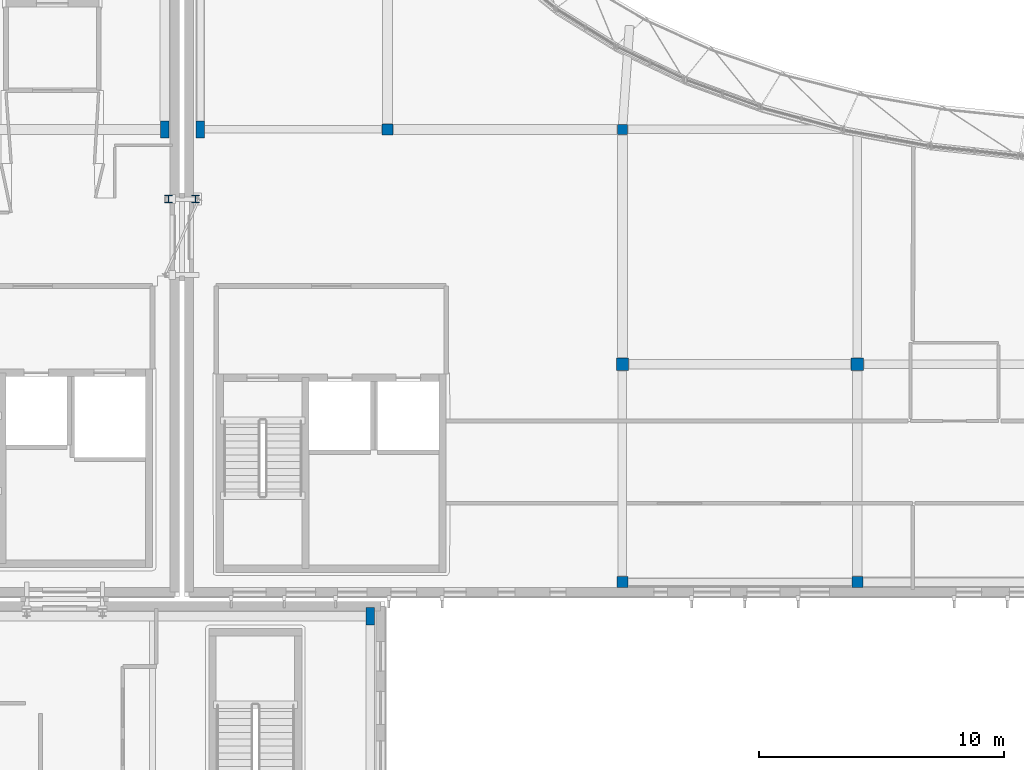
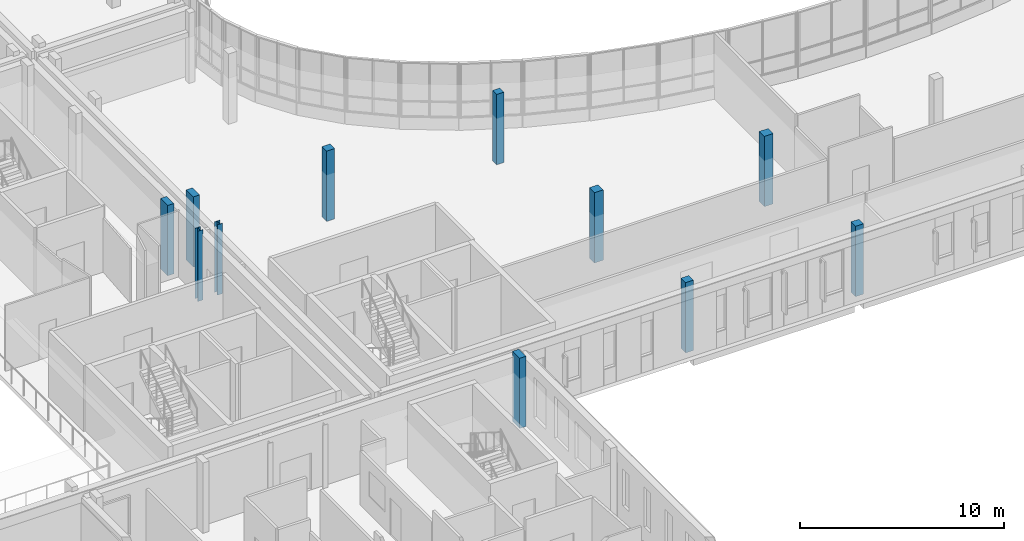
# One storey, part 3 of 84: 11 columns.
"""IFC4 building model written with IfcOpenShell, lengths in metres."""

from ifc_helpers import new_model, si_unit, direction, frame, origin, origin_2d, place, context, subcontext, project, spatial, rectangle, i_section, extrude, material, material_profile, profile_set, type_object, element, save


model = new_model("IFC4")

# Units and contexts
model_context = context("Model", 3, precision=1e-05, world=origin(), true_north=direction((0.0, 1.0)))
body_context = subcontext(model_context, "Body", "Model", "MODEL_VIEW")
ifc_project = project(units=[si_unit("LENGTHUNIT", "METRE"), si_unit("AREAUNIT", "SQUARE_METRE"), si_unit("VOLUMEUNIT", "CUBIC_METRE"), si_unit("PLANEANGLEUNIT", "RADIAN"), si_unit("MASSUNIT", "GRAM", prefix="KILO")], contexts=[model_context])

# Site, building, storey
site_placement = place(None, origin())
site = spatial("IfcSite", under=ifc_project, at=site_placement, CompositionType="ELEMENT")
building_placement = place(site_placement, origin())
building = spatial("IfcBuilding", under=site, at=building_placement, Name="Mzevani Central Library", CompositionType="ELEMENT")
storey_placement = place(building_placement, frame((0.0, 0.0, 5.39990234375)))
storey = spatial("IfcBuildingStorey", under=building, at=storey_placement, Name="L01", CompositionType="ELEMENT", Elevation=5.39990234375)

# Columns
ifc_material_1 = material(Name="Steel S355J2", Category="steel")
ifc_material_profile_1 = material_profile(ifc_material_1, i_section(OverallWidth=0.300048828125, OverallDepth=0.300048828125, WebThickness=0.010986328125, FlangeThickness=0.01904296875, FilletRadius=0.027099609375, at=origin_2d()), Name="HEB 300")
ifc_profile_set_1 = profile_set([ifc_material_profile_1], Name="Steel S355J2")
column_type_1 = type_object("IfcColumnType", Name="Atrium Steel Column HEB 300", PredefinedType="COLUMN", material=ifc_profile_set_1)
for number, where, z_axis, x_axis, name in (
    (1, (45.449951171875, 58.75, 0.0), (0.0, 0.0, 1.0), (1.0, 0.0, 0.0), "L01 Seismic Joint Corbel Column 3"),
    (2, (46.550048828125, 58.75, 0.0), (0.0, 0.0, 1.0), (1.0, 0.0, 0.0), "L01 Seismic Joint Corbel Column 5"),
):
    element("IfcColumn", number, at=place(storey_placement, frame(where, z_axis=z_axis, x_axis=x_axis)), inside=storey, type_object=column_type_1, Name=name, PredefinedType="COLUMN", context=body_context, shape_type="SweptSolid", body=[
        extrude(i_section(OverallWidth=0.300048828125, OverallDepth=0.300048828125, WebThickness=0.010986328125, FlangeThickness=0.01904296875, FilletRadius=0.027099609375, at=origin_2d()), origin(), (0.0, 0.0, 1.0), 4.2001953125),
    ])
ifc_material_2 = material(Name="Concrete C40/50", Category="concrete")
ifc_material_profile_2 = material_profile(ifc_material_2, rectangle(XDim=0.39990234375, YDim=0.39990234375, at=origin_2d()), Name="RC 400x400")
ifc_profile_set_2 = profile_set([ifc_material_profile_2], Name="Concrete C40/50")
column_type_2 = type_object("IfcColumnType", Name="Column RC 400x400", PredefinedType="COLUMN", material=ifc_profile_set_2)
column_placement = place(storey_placement, frame((64.0, 61.60009765625, 0.0), z_axis=(0.0, 0.0, 1.0), x_axis=(1.0, 0.0, 0.0)))
element("IfcColumn", 3, at=column_placement, inside=storey, type_object=column_type_2, Name="L01 V1 Column C-02 (9)", PredefinedType="COLUMN", context=body_context, shape_type="SweptSolid", body=[
    extrude(rectangle(XDim=0.39990234375, YDim=0.39990234375, at=origin_2d()), origin(), (0.0, 0.0, 1.0), 4.2001953125),
])
ifc_material_profile_3 = material_profile(ifc_material_2, rectangle(XDim=0.449951171875, YDim=0.449951171875, at=origin_2d()), Name="RC 450x450")
ifc_profile_set_3 = profile_set([ifc_material_profile_3], Name="Concrete C40/50")
column_type_3 = type_object("IfcColumnType", Name="Column RC 450x450", PredefinedType="COLUMN", material=ifc_profile_set_3)
for number, where, z_axis, x_axis, name in (
    (4, (54.39990234375, 61.60009765625, 0.0), (0.0, 0.0, 1.0), (1.0, 0.0, 0.0), "L01 V1 Column C-03 (4)"),
    (5, (64.0, 43.10009765625, 0.0), (0.0, 0.0, 1.0), (1.0, 0.0, 0.0), "L01 V1 Column C-03 (7)"),
    (6, (73.60009765625, 43.10009765625, 0.0), (0.0, 0.0, 1.0), (1.0, 0.0, 0.0), "L01 V1 Column C-03 (10)"),
):
    element("IfcColumn", number, at=place(storey_placement, frame(where, z_axis=z_axis, x_axis=x_axis)), inside=storey, type_object=column_type_3, Name=name, PredefinedType="COLUMN", context=body_context, shape_type="SweptSolid", body=[
        extrude(rectangle(XDim=0.449951171875, YDim=0.449951171875, at=origin_2d()), origin(), (0.0, 0.0, 1.0), 4.2001953125),
    ])
ifc_material_profile_4 = material_profile(ifc_material_2, rectangle(XDim=0.5, YDim=0.5, at=origin_2d()), Name="RC 500x500")
ifc_profile_set_4 = profile_set([ifc_material_profile_4], Name="Concrete C40/50")
column_type_4 = type_object("IfcColumnType", Name="Column RC 500x500", PredefinedType="COLUMN", material=ifc_profile_set_4)
for number, where, z_axis, x_axis, name in (
    (7, (64.0, 52.0, 0.0), (0.0, 0.0, 1.0), (1.0, 0.0, 0.0), "L01 V1 Column C-04 (8)"),
    (8, (73.60009765625, 52.0, 0.0), (0.0, 0.0, 1.0), (1.0, 0.0, 0.0), "L01 V1 Column C-04 (11)"),
):
    element("IfcColumn", number, at=place(storey_placement, frame(where, z_axis=z_axis, x_axis=x_axis)), inside=storey, type_object=column_type_4, Name=name, PredefinedType="COLUMN", context=body_context, shape_type="SweptSolid", body=[
        extrude(rectangle(XDim=0.5, YDim=0.5, at=origin_2d()), origin(), (0.0, 0.0, 1.0), 4.2001953125),
    ])
ifc_material_profile_5 = material_profile(ifc_material_2, rectangle(XDim=0.35009765625, YDim=0.699951171875, at=origin_2d()), Name="RC 350x700")
ifc_profile_set_5 = profile_set([ifc_material_profile_5], Name="Concrete C40/50")
column_type_5 = type_object("IfcColumnType", Name="Joint Twin Column RC 350x700", PredefinedType="COLUMN", material=ifc_profile_set_5)
for number, where, z_axis, x_axis, name in (
    (9, (46.75, 61.60009765625, 0.0), (0.0, 0.0, 1.0), (1.0, 0.0, 0.0), "L01 V1 Column C-18 (1)"),
    (10, (53.699951171875, 41.699951171875, 0.0), (0.0, 0.0, 1.0), (1.0, 0.0, 0.0), "L01 V4 Column C-18 (181)"),
    (11, (45.300048828125, 61.60009765625, 0.0), (0.0, 0.0, 1.0), (1.0, 0.0, 0.0), "L01 V5 Column C-18 (208)"),
):
    element("IfcColumn", number, at=place(storey_placement, frame(where, z_axis=z_axis, x_axis=x_axis)), inside=storey, type_object=column_type_5, Name=name, PredefinedType="COLUMN", context=body_context, shape_type="SweptSolid", body=[
        extrude(rectangle(XDim=0.35009765625, YDim=0.699951171875, at=origin_2d()), origin(), (0.0, 0.0, 1.0), 4.2001953125),
    ])

save(model, "model.ifc")
